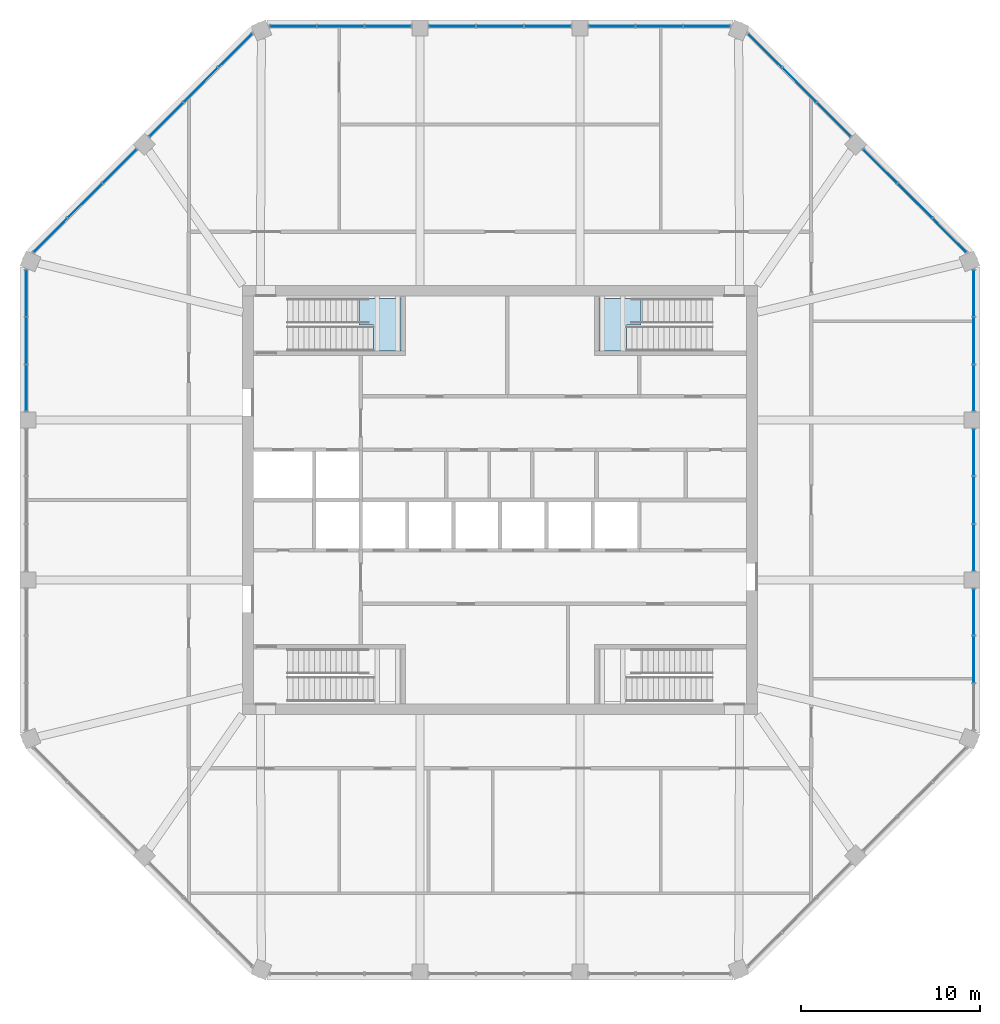
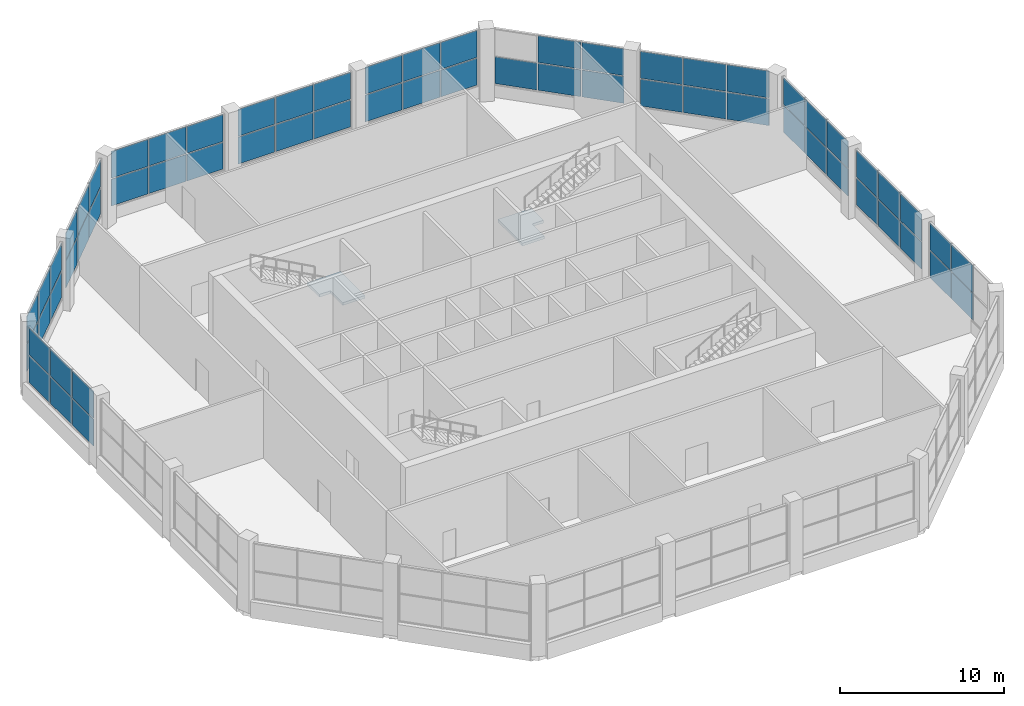
# One storey, part 10 of 15: 63 plates, 2 slabs, 13 elements without a shape of their own.
"""IFC4 building model written with IfcOpenShell, lengths in metres."""

from ifc_helpers import new_model, si_unit, direction, frame, origin, origin_2d, place, context, subcontext, project, spatial, polyline, rectangle, outline, extrude, material, layer, layer_set, type_object, element, aggregate, save


model = new_model("IFC4")

# Units and contexts
model_context = context("Model", 3, precision=1e-05, world=origin(), true_north=direction((0.0, 1.0)))
body_context = subcontext(model_context, "Body", "Model", "MODEL_VIEW")
ifc_project = project(units=[si_unit("LENGTHUNIT", "METRE"), si_unit("AREAUNIT", "SQUARE_METRE"), si_unit("VOLUMEUNIT", "CUBIC_METRE"), si_unit("PLANEANGLEUNIT", "RADIAN"), si_unit("MASSUNIT", "GRAM", prefix="KILO")], contexts=[model_context])

# Site, building, storey
site_placement = place(None, origin())
site = spatial("IfcSite", under=ifc_project, at=site_placement, CompositionType="ELEMENT")
building_placement = place(site_placement, origin())
building = spatial("IfcBuilding", under=site, at=building_placement, Name="Msitu Wima Residences", CompositionType="ELEMENT")
storey_placement = place(building_placement, frame((0.0, 0.0, 314.699951171875)))
storey = spatial("IfcBuildingStorey", under=building, at=storey_placement, Name="L73", CompositionType="ELEMENT", Elevation=314.699951171875)

# Curtain wall, plates
ifc_material_1 = material(Name="Anodised aluminium, bronze finish, solar control laminated double glazing", Category="aluminium")
curtain_wall_type = type_object("IfcCurtainWallType", Name="Curtain wall CW3 top lounge wall", PredefinedType="NOTDEFINED", material=ifc_material_1)
curtain_wall_1_placement = place(storey_placement, origin())
curtain_wall_1 = element("IfcCurtainWall", 1, at=curtain_wall_1_placement, inside=storey, type_object=curtain_wall_type, Name="Curtain wall CW3 L73 E0", PredefinedType="NOTDEFINED")
ifc_material_2 = material(Name="Solar control laminated double glazing", Category="glass")
ifc_layer_1 = layer(ifc_material_2, 0.0400390625)
ifc_layer_set_1 = layer_set([ifc_layer_1], Name="Solar control laminated double glazing")
plate_type = type_object("IfcPlateType", Name="Glass panel CW3 40", PredefinedType="CURTAIN_PANEL", material=ifc_layer_set_1)
plate_1_placement = place(storey_placement, frame((26.5, -8.918701171875, 0.97509765625), z_axis=(0.0, 0.0, 1.0), x_axis=(0.0, 1.0, 0.0)))
plate_1 = element("IfcPlate", 2, at=plate_1_placement, type_object=plate_type, Name="CW3 panel 2.1", PredefinedType="CURTAIN_PANEL", context=body_context, shape_type="SweptSolid", body=[
    extrude(rectangle(XDim=2.591796875, YDim=0.0400390625, at=origin_2d()), origin(), (0.0, 0.0, 1.0), 1.987548828125),
])
plate_2_placement = place(storey_placement, frame((26.5, -8.918701171875, 3.03759765625), z_axis=(0.0, 0.0, 1.0), x_axis=(0.0, 1.0, 0.0)))
plate_2 = element("IfcPlate", 3, at=plate_2_placement, type_object=plate_type, Name="CW3 panel 2.2", PredefinedType="CURTAIN_PANEL", context=body_context, shape_type="SweptSolid", body=[
    extrude(rectangle(XDim=2.591796875, YDim=0.0400390625, at=origin_2d()), origin(), (0.0, 0.0, 1.0), 1.987548828125),
])
plate_3_placement = place(storey_placement, frame((26.5, -6.270751953125, 0.97509765625), z_axis=(0.0, 0.0, 1.0), x_axis=(0.0, 1.0, 0.0)))
plate_3 = element("IfcPlate", 4, at=plate_3_placement, type_object=plate_type, Name="CW3 panel 3.1", PredefinedType="CURTAIN_PANEL", context=body_context, shape_type="SweptSolid", body=[
    extrude(rectangle(XDim=2.55419921875, YDim=0.0400390625, at=origin_2d()), origin(), (0.0, 0.0, 1.0), 1.987548828125),
])
plate_4_placement = place(storey_placement, frame((26.5, -6.270751953125, 3.03759765625), z_axis=(0.0, 0.0, 1.0), x_axis=(0.0, 1.0, 0.0)))
plate_4 = element("IfcPlate", 5, at=plate_4_placement, type_object=plate_type, Name="CW3 panel 3.2", PredefinedType="CURTAIN_PANEL", context=body_context, shape_type="SweptSolid", body=[
    extrude(rectangle(XDim=2.55419921875, YDim=0.0400390625, at=origin_2d()), origin(), (0.0, 0.0, 1.0), 1.987548828125),
])
aggregate(curtain_wall_1, [plate_1, plate_2, plate_3, plate_4])

curtain_wall_2_placement = place(storey_placement, origin())
curtain_wall_2 = element("IfcCurtainWall", 6, at=curtain_wall_2_placement, inside=storey, type_object=curtain_wall_type, Name="Curtain wall CW3 L73 E1", PredefinedType="NOTDEFINED")
plate_5_placement = place(storey_placement, frame((26.5, -2.660400390625, 0.97509765625), z_axis=(0.0, 0.0, 1.0), x_axis=(0.0, 1.0, 0.0)))
plate_5 = element("IfcPlate", 7, at=plate_5_placement, type_object=plate_type, Name="CW3 panel 1.1", PredefinedType="CURTAIN_PANEL", context=body_context, shape_type="SweptSolid", body=[
    extrude(rectangle(XDim=2.566650390625, YDim=0.0400390625, at=origin_2d()), origin(), (0.0, 0.0, 1.0), 1.987548828125),
])
plate_6_placement = place(storey_placement, frame((26.5, -2.660400390625, 3.03759765625), z_axis=(0.0, 0.0, 1.0), x_axis=(0.0, 1.0, 0.0)))
plate_6 = element("IfcPlate", 8, at=plate_6_placement, type_object=plate_type, Name="CW3 panel 1.2", PredefinedType="CURTAIN_PANEL", context=body_context, shape_type="SweptSolid", body=[
    extrude(rectangle(XDim=2.566650390625, YDim=0.0400390625, at=origin_2d()), origin(), (0.0, 0.0, 1.0), 1.987548828125),
])
plate_7_placement = place(storey_placement, frame((26.5, 0.0, 0.97509765625), z_axis=(0.0, 0.0, 1.0), x_axis=(0.0, 1.0, 0.0)))
plate_7 = element("IfcPlate", 9, at=plate_7_placement, type_object=plate_type, Name="CW3 panel 2.1", PredefinedType="CURTAIN_PANEL", context=body_context, shape_type="SweptSolid", body=[
    extrude(rectangle(XDim=2.60400390625, YDim=0.0400390625, at=origin_2d()), origin(), (0.0, 0.0, 1.0), 1.987548828125),
])
plate_8_placement = place(storey_placement, frame((26.5, 0.0, 3.03759765625), z_axis=(0.0, 0.0, 1.0), x_axis=(0.0, 1.0, 0.0)))
plate_8 = element("IfcPlate", 10, at=plate_8_placement, type_object=plate_type, Name="CW3 panel 2.2", PredefinedType="CURTAIN_PANEL", context=body_context, shape_type="SweptSolid", body=[
    extrude(rectangle(XDim=2.60400390625, YDim=0.0400390625, at=origin_2d()), origin(), (0.0, 0.0, 1.0), 1.987548828125),
])
plate_9_placement = place(storey_placement, frame((26.5, 2.660400390625, 0.97509765625), z_axis=(0.0, 0.0, 1.0), x_axis=(0.0, 1.0, 0.0)))
plate_9 = element("IfcPlate", 11, at=plate_9_placement, type_object=plate_type, Name="CW3 panel 3.1", PredefinedType="CURTAIN_PANEL", context=body_context, shape_type="SweptSolid", body=[
    extrude(rectangle(XDim=2.566650390625, YDim=0.0400390625, at=origin_2d()), origin(), (0.0, 0.0, 1.0), 1.987548828125),
])
plate_10_placement = place(storey_placement, frame((26.5, 2.660400390625, 3.03759765625), z_axis=(0.0, 0.0, 1.0), x_axis=(0.0, 1.0, 0.0)))
plate_10 = element("IfcPlate", 12, at=plate_10_placement, type_object=plate_type, Name="CW3 panel 3.2", PredefinedType="CURTAIN_PANEL", context=body_context, shape_type="SweptSolid", body=[
    extrude(rectangle(XDim=2.566650390625, YDim=0.0400390625, at=origin_2d()), origin(), (0.0, 0.0, 1.0), 1.987548828125),
])
aggregate(curtain_wall_2, [plate_5, plate_6, plate_7, plate_8, plate_9, plate_10])

curtain_wall_3_placement = place(storey_placement, origin())
curtain_wall_3 = element("IfcCurtainWall", 13, at=curtain_wall_3_placement, inside=storey, type_object=curtain_wall_type, Name="Curtain wall CW3 L73 E2", PredefinedType="NOTDEFINED")
plate_11_placement = place(storey_placement, frame((26.5, 6.270751953125, 0.97509765625), z_axis=(0.0, 0.0, 1.0), x_axis=(0.0, 1.0, 0.0)))
plate_11 = element("IfcPlate", 14, at=plate_11_placement, type_object=plate_type, Name="CW3 panel 1.1", PredefinedType="CURTAIN_PANEL", context=body_context, shape_type="SweptSolid", body=[
    extrude(rectangle(XDim=2.55419921875, YDim=0.0400390625, at=origin_2d()), origin(), (0.0, 0.0, 1.0), 1.987548828125),
])
plate_12_placement = place(storey_placement, frame((26.5, 6.270751953125, 3.03759765625), z_axis=(0.0, 0.0, 1.0), x_axis=(0.0, 1.0, 0.0)))
plate_12 = element("IfcPlate", 15, at=plate_12_placement, type_object=plate_type, Name="CW3 panel 1.2", PredefinedType="CURTAIN_PANEL", context=body_context, shape_type="SweptSolid", body=[
    extrude(rectangle(XDim=2.55419921875, YDim=0.0400390625, at=origin_2d()), origin(), (0.0, 0.0, 1.0), 1.987548828125),
])
plate_13_placement = place(storey_placement, frame((26.5, 8.918701171875, 0.97509765625), z_axis=(0.0, 0.0, 1.0), x_axis=(0.0, 1.0, 0.0)))
plate_13 = element("IfcPlate", 16, at=plate_13_placement, type_object=plate_type, Name="CW3 panel 2.1", PredefinedType="CURTAIN_PANEL", context=body_context, shape_type="SweptSolid", body=[
    extrude(rectangle(XDim=2.591796875, YDim=0.0400390625, at=origin_2d()), origin(), (0.0, 0.0, 1.0), 1.987548828125),
])
plate_14_placement = place(storey_placement, frame((26.5, 8.918701171875, 3.03759765625), z_axis=(0.0, 0.0, 1.0), x_axis=(0.0, 1.0, 0.0)))
plate_14 = element("IfcPlate", 17, at=plate_14_placement, type_object=plate_type, Name="CW3 panel 2.2", PredefinedType="CURTAIN_PANEL", context=body_context, shape_type="SweptSolid", body=[
    extrude(rectangle(XDim=2.591796875, YDim=0.0400390625, at=origin_2d()), origin(), (0.0, 0.0, 1.0), 1.987548828125),
])
plate_15_placement = place(storey_placement, frame((26.5, 11.566650390625, 0.97509765625), z_axis=(0.0, 0.0, 1.0), x_axis=(0.0, 1.0, 0.0)))
plate_15 = element("IfcPlate", 18, at=plate_15_placement, type_object=plate_type, Name="CW3 panel 3.1", PredefinedType="CURTAIN_PANEL", context=body_context, shape_type="SweptSolid", body=[
    extrude(rectangle(XDim=2.55419921875, YDim=0.0400390625, at=origin_2d()), origin(), (0.0, 0.0, 1.0), 1.987548828125),
])
plate_16_placement = place(storey_placement, frame((26.5, 11.566650390625, 3.03759765625), z_axis=(0.0, 0.0, 1.0), x_axis=(0.0, 1.0, 0.0)))
plate_16 = element("IfcPlate", 19, at=plate_16_placement, type_object=plate_type, Name="CW3 panel 3.2", PredefinedType="CURTAIN_PANEL", context=body_context, shape_type="SweptSolid", body=[
    extrude(rectangle(XDim=2.55419921875, YDim=0.0400390625, at=origin_2d()), origin(), (0.0, 0.0, 1.0), 1.987548828125),
])
aggregate(curtain_wall_3, [plate_11, plate_12, plate_13, plate_14, plate_15, plate_16])

curtain_wall_4_placement = place(storey_placement, origin())
curtain_wall_4 = element("IfcCurtainWall", 20, at=curtain_wall_4_placement, inside=storey, type_object=curtain_wall_type, Name="Curtain wall CW3 L73 NE0", PredefinedType="NOTDEFINED")
plate_17_placement = place(storey_placement, frame((25.140625, 14.806640625, 0.97509765625), z_axis=(0.0, 0.0, 1.0), x_axis=(-0.707106781187, 0.707106781187, 0.0)))
plate_17 = element("IfcPlate", 21, at=plate_17_placement, type_object=plate_type, Name="CW3 panel 1.1", PredefinedType="CURTAIN_PANEL", context=body_context, shape_type="SweptSolid", body=[
    extrude(rectangle(XDim=2.637939453125, YDim=0.0400390625, at=origin_2d()), origin(), (0.0, 0.0, 1.0), 1.987548828125),
])
plate_18_placement = place(storey_placement, frame((25.140625, 14.806640625, 3.03759765625), z_axis=(0.0, 0.0, 1.0), x_axis=(-0.707106781187, 0.707106781187, 0.0)))
plate_18 = element("IfcPlate", 22, at=plate_18_placement, type_object=plate_type, Name="CW3 panel 1.2", PredefinedType="CURTAIN_PANEL", context=body_context, shape_type="SweptSolid", body=[
    extrude(rectangle(XDim=2.637939453125, YDim=0.0400390625, at=origin_2d()), origin(), (0.0, 0.0, 1.0), 1.987548828125),
])
plate_19_placement = place(storey_placement, frame((23.208984375, 16.73828125, 0.97509765625), z_axis=(0.0, 0.0, 1.0), x_axis=(-0.707106781187, 0.707106781187, 0.0)))
plate_19 = element("IfcPlate", 23, at=plate_19_placement, type_object=plate_type, Name="CW3 panel 2.1", PredefinedType="CURTAIN_PANEL", context=body_context, shape_type="SweptSolid", body=[
    extrude(rectangle(XDim=2.67529296875, YDim=0.0400390625, at=origin_2d()), origin(), (0.0, 0.0, 1.0), 1.987548828125),
])
plate_20_placement = place(storey_placement, frame((23.208984375, 16.73828125, 3.03759765625), z_axis=(0.0, 0.0, 1.0), x_axis=(-0.707106781187, 0.707106781187, 0.0)))
plate_20 = element("IfcPlate", 24, at=plate_20_placement, type_object=plate_type, Name="CW3 panel 2.2", PredefinedType="CURTAIN_PANEL", context=body_context, shape_type="SweptSolid", body=[
    extrude(rectangle(XDim=2.67529296875, YDim=0.0400390625, at=origin_2d()), origin(), (0.0, 0.0, 1.0), 1.987548828125),
])
plate_21_placement = place(storey_placement, frame((21.277587890625, 18.669677734375, 0.97509765625), z_axis=(0.0, 0.0, 1.0), x_axis=(-0.707106781187, 0.707106781187, 0.0)))
plate_21 = element("IfcPlate", 25, at=plate_21_placement, type_object=plate_type, Name="CW3 panel 3.1", PredefinedType="CURTAIN_PANEL", context=body_context, shape_type="SweptSolid", body=[
    extrude(rectangle(XDim=2.637939453125, YDim=0.0400390625, at=origin_2d()), origin(), (0.0, 0.0, 1.0), 1.987548828125),
])
plate_22_placement = place(storey_placement, frame((21.277587890625, 18.669677734375, 3.03759765625), z_axis=(0.0, 0.0, 1.0), x_axis=(-0.707106781187, 0.707106781187, 0.0)))
plate_22 = element("IfcPlate", 26, at=plate_22_placement, type_object=plate_type, Name="CW3 panel 3.2", PredefinedType="CURTAIN_PANEL", context=body_context, shape_type="SweptSolid", body=[
    extrude(rectangle(XDim=2.637939453125, YDim=0.0400390625, at=origin_2d()), origin(), (0.0, 0.0, 1.0), 1.987548828125),
])
aggregate(curtain_wall_4, [plate_17, plate_18, plate_19, plate_20, plate_21, plate_22])

curtain_wall_5_placement = place(storey_placement, origin())
curtain_wall_5 = element("IfcCurtainWall", 27, at=curtain_wall_5_placement, inside=storey, type_object=curtain_wall_type, Name="Curtain wall CW3 L73 NE1", PredefinedType="NOTDEFINED")
plate_23_placement = place(storey_placement, frame((18.669677734375, 21.277587890625, 0.97509765625), z_axis=(0.0, 0.0, 1.0), x_axis=(-0.707106841783, 0.707106720591, 0.0)))
plate_23 = element("IfcPlate", 28, at=plate_23_placement, type_object=plate_type, Name="CW3 panel 1.1", PredefinedType="CURTAIN_PANEL", context=body_context, shape_type="SweptSolid", body=[
    extrude(rectangle(XDim=2.637939453125, YDim=0.0400390625, at=origin_2d()), origin(), (0.0, 0.0, 1.0), 1.987548828125),
])
plate_24_placement = place(storey_placement, frame((18.669677734375, 21.277587890625, 3.03759765625), z_axis=(0.0, 0.0, 1.0), x_axis=(-0.707106841783, 0.707106720591, 0.0)))
plate_24 = element("IfcPlate", 29, at=plate_24_placement, type_object=plate_type, Name="CW3 panel 1.2", PredefinedType="CURTAIN_PANEL", context=body_context, shape_type="SweptSolid", body=[
    extrude(rectangle(XDim=2.637939453125, YDim=0.0400390625, at=origin_2d()), origin(), (0.0, 0.0, 1.0), 1.987548828125),
])
plate_25_placement = place(storey_placement, frame((16.73828125, 23.208984375, 0.97509765625), z_axis=(0.0, 0.0, 1.0), x_axis=(-0.707106841783, 0.707106720591, 0.0)))
plate_25 = element("IfcPlate", 30, at=plate_25_placement, type_object=plate_type, Name="CW3 panel 2.1", PredefinedType="CURTAIN_PANEL", context=body_context, shape_type="SweptSolid", body=[
    extrude(rectangle(XDim=2.67529296875, YDim=0.0400390625, at=origin_2d()), origin(), (0.0, 0.0, 1.0), 1.987548828125),
])
plate_26_placement = place(storey_placement, frame((16.73828125, 23.208984375, 3.03759765625), z_axis=(0.0, 0.0, 1.0), x_axis=(-0.707106841783, 0.707106720591, 0.0)))
plate_26 = element("IfcPlate", 31, at=plate_26_placement, type_object=plate_type, Name="CW3 panel 2.2", PredefinedType="CURTAIN_PANEL", context=body_context, shape_type="SweptSolid", body=[
    extrude(rectangle(XDim=2.67529296875, YDim=0.0400390625, at=origin_2d()), origin(), (0.0, 0.0, 1.0), 1.987548828125),
])
plate_27_placement = place(storey_placement, frame((14.806640625, 25.140625, 0.97509765625), z_axis=(0.0, 0.0, 1.0), x_axis=(-0.707106841783, 0.707106720591, 0.0)))
plate_27 = element("IfcPlate", 32, at=plate_27_placement, type_object=plate_type, Name="CW3 panel 3.1", PredefinedType="CURTAIN_PANEL", context=body_context, shape_type="SweptSolid", body=[
    extrude(rectangle(XDim=2.637939453125, YDim=0.0400390625, at=origin_2d()), origin(), (0.0, 0.0, 1.0), 1.987548828125),
])
aggregate(curtain_wall_5, [plate_23, plate_24, plate_25, plate_26, plate_27])

curtain_wall_6_placement = place(storey_placement, origin())
curtain_wall_6 = element("IfcCurtainWall", 33, at=curtain_wall_6_placement, inside=storey, type_object=curtain_wall_type, Name="Curtain wall CW3 L73 N0", PredefinedType="NOTDEFINED")
plate_28_placement = place(storey_placement, frame((11.566650390625, 26.5, 0.97509765625), z_axis=(0.0, 0.0, 1.0), x_axis=(-1.0, 0.0, 0.0)))
plate_28 = element("IfcPlate", 34, at=plate_28_placement, type_object=plate_type, Name="CW3 panel 1.1", PredefinedType="CURTAIN_PANEL", context=body_context, shape_type="SweptSolid", body=[
    extrude(rectangle(XDim=2.55419921875, YDim=0.0400390625, at=origin_2d()), origin(), (0.0, 0.0, 1.0), 1.987548828125),
])
plate_29_placement = place(storey_placement, frame((11.566650390625, 26.5, 3.03759765625), z_axis=(0.0, 0.0, 1.0), x_axis=(-1.0, 0.0, 0.0)))
plate_29 = element("IfcPlate", 35, at=plate_29_placement, type_object=plate_type, Name="CW3 panel 1.2", PredefinedType="CURTAIN_PANEL", context=body_context, shape_type="SweptSolid", body=[
    extrude(rectangle(XDim=2.55419921875, YDim=0.0400390625, at=origin_2d()), origin(), (0.0, 0.0, 1.0), 1.987548828125),
])
plate_30_placement = place(storey_placement, frame((8.918701171875, 26.5, 0.97509765625), z_axis=(0.0, 0.0, 1.0), x_axis=(-1.0, 0.0, 0.0)))
plate_30 = element("IfcPlate", 36, at=plate_30_placement, type_object=plate_type, Name="CW3 panel 2.1", PredefinedType="CURTAIN_PANEL", context=body_context, shape_type="SweptSolid", body=[
    extrude(rectangle(XDim=2.591796875, YDim=0.0400390625, at=origin_2d()), origin(), (0.0, 0.0, 1.0), 1.987548828125),
])
plate_31_placement = place(storey_placement, frame((8.918701171875, 26.5, 3.03759765625), z_axis=(0.0, 0.0, 1.0), x_axis=(-1.0, 0.0, 0.0)))
plate_31 = element("IfcPlate", 37, at=plate_31_placement, type_object=plate_type, Name="CW3 panel 2.2", PredefinedType="CURTAIN_PANEL", context=body_context, shape_type="SweptSolid", body=[
    extrude(rectangle(XDim=2.591796875, YDim=0.0400390625, at=origin_2d()), origin(), (0.0, 0.0, 1.0), 1.987548828125),
])
plate_32_placement = place(storey_placement, frame((6.270751953125, 26.5, 0.97509765625), z_axis=(0.0, 0.0, 1.0), x_axis=(-1.0, 0.0, 0.0)))
plate_32 = element("IfcPlate", 38, at=plate_32_placement, type_object=plate_type, Name="CW3 panel 3.1", PredefinedType="CURTAIN_PANEL", context=body_context, shape_type="SweptSolid", body=[
    extrude(rectangle(XDim=2.55419921875, YDim=0.0400390625, at=origin_2d()), origin(), (0.0, 0.0, 1.0), 1.987548828125),
])
plate_33_placement = place(storey_placement, frame((6.270751953125, 26.5, 3.03759765625), z_axis=(0.0, 0.0, 1.0), x_axis=(-1.0, 0.0, 0.0)))
plate_33 = element("IfcPlate", 39, at=plate_33_placement, type_object=plate_type, Name="CW3 panel 3.2", PredefinedType="CURTAIN_PANEL", context=body_context, shape_type="SweptSolid", body=[
    extrude(rectangle(XDim=2.55419921875, YDim=0.0400390625, at=origin_2d()), origin(), (0.0, 0.0, 1.0), 1.987548828125),
])
aggregate(curtain_wall_6, [plate_28, plate_29, plate_30, plate_31, plate_32, plate_33])

curtain_wall_7_placement = place(storey_placement, origin())
curtain_wall_7 = element("IfcCurtainWall", 40, at=curtain_wall_7_placement, inside=storey, type_object=curtain_wall_type, Name="Curtain wall CW3 L73 N1", PredefinedType="NOTDEFINED")
plate_34_placement = place(storey_placement, frame((2.660400390625, 26.5, 0.97509765625), z_axis=(0.0, 0.0, 1.0), x_axis=(-1.0, 0.0, 0.0)))
plate_34 = element("IfcPlate", 41, at=plate_34_placement, type_object=plate_type, Name="CW3 panel 1.1", PredefinedType="CURTAIN_PANEL", context=body_context, shape_type="SweptSolid", body=[
    extrude(rectangle(XDim=2.566650390625, YDim=0.0400390625, at=origin_2d()), origin(), (0.0, 0.0, 1.0), 1.987548828125),
])
plate_35_placement = place(storey_placement, frame((2.660400390625, 26.5, 3.03759765625), z_axis=(0.0, 0.0, 1.0), x_axis=(-1.0, 0.0, 0.0)))
plate_35 = element("IfcPlate", 42, at=plate_35_placement, type_object=plate_type, Name="CW3 panel 1.2", PredefinedType="CURTAIN_PANEL", context=body_context, shape_type="SweptSolid", body=[
    extrude(rectangle(XDim=2.566650390625, YDim=0.0400390625, at=origin_2d()), origin(), (0.0, 0.0, 1.0), 1.987548828125),
])
plate_36_placement = place(storey_placement, frame((0.0, 26.5, 0.97509765625), z_axis=(0.0, 0.0, 1.0), x_axis=(-1.0, 0.0, 0.0)))
plate_36 = element("IfcPlate", 43, at=plate_36_placement, type_object=plate_type, Name="CW3 panel 2.1", PredefinedType="CURTAIN_PANEL", context=body_context, shape_type="SweptSolid", body=[
    extrude(rectangle(XDim=2.60400390625, YDim=0.0400390625, at=origin_2d()), origin(), (0.0, 0.0, 1.0), 1.987548828125),
])
plate_37_placement = place(storey_placement, frame((0.0, 26.5, 3.03759765625), z_axis=(0.0, 0.0, 1.0), x_axis=(-1.0, 0.0, 0.0)))
plate_37 = element("IfcPlate", 44, at=plate_37_placement, type_object=plate_type, Name="CW3 panel 2.2", PredefinedType="CURTAIN_PANEL", context=body_context, shape_type="SweptSolid", body=[
    extrude(rectangle(XDim=2.60400390625, YDim=0.0400390625, at=origin_2d()), origin(), (0.0, 0.0, 1.0), 1.987548828125),
])
plate_38_placement = place(storey_placement, frame((-2.660400390625, 26.5, 0.97509765625), z_axis=(0.0, 0.0, 1.0), x_axis=(-1.0, 0.0, 0.0)))
plate_38 = element("IfcPlate", 45, at=plate_38_placement, type_object=plate_type, Name="CW3 panel 3.1", PredefinedType="CURTAIN_PANEL", context=body_context, shape_type="SweptSolid", body=[
    extrude(rectangle(XDim=2.566650390625, YDim=0.0400390625, at=origin_2d()), origin(), (0.0, 0.0, 1.0), 1.987548828125),
])
plate_39_placement = place(storey_placement, frame((-2.660400390625, 26.5, 3.03759765625), z_axis=(0.0, 0.0, 1.0), x_axis=(-1.0, 0.0, 0.0)))
plate_39 = element("IfcPlate", 46, at=plate_39_placement, type_object=plate_type, Name="CW3 panel 3.2", PredefinedType="CURTAIN_PANEL", context=body_context, shape_type="SweptSolid", body=[
    extrude(rectangle(XDim=2.566650390625, YDim=0.0400390625, at=origin_2d()), origin(), (0.0, 0.0, 1.0), 1.987548828125),
])
aggregate(curtain_wall_7, [plate_34, plate_35, plate_36, plate_37, plate_38, plate_39])

curtain_wall_8_placement = place(storey_placement, origin())
curtain_wall_8 = element("IfcCurtainWall", 47, at=curtain_wall_8_placement, inside=storey, type_object=curtain_wall_type, Name="Curtain wall CW3 L73 N2", PredefinedType="NOTDEFINED")
plate_40_placement = place(storey_placement, frame((-6.270751953125, 26.5, 0.97509765625), z_axis=(0.0, 0.0, 1.0), x_axis=(-1.0, 0.0, 0.0)))
plate_40 = element("IfcPlate", 48, at=plate_40_placement, type_object=plate_type, Name="CW3 panel 1.1", PredefinedType="CURTAIN_PANEL", context=body_context, shape_type="SweptSolid", body=[
    extrude(rectangle(XDim=2.55419921875, YDim=0.0400390625, at=origin_2d()), origin(), (0.0, 0.0, 1.0), 1.987548828125),
])
plate_41_placement = place(storey_placement, frame((-6.270751953125, 26.5, 3.03759765625), z_axis=(0.0, 0.0, 1.0), x_axis=(-1.0, 0.0, 0.0)))
plate_41 = element("IfcPlate", 49, at=plate_41_placement, type_object=plate_type, Name="CW3 panel 1.2", PredefinedType="CURTAIN_PANEL", context=body_context, shape_type="SweptSolid", body=[
    extrude(rectangle(XDim=2.55419921875, YDim=0.0400390625, at=origin_2d()), origin(), (0.0, 0.0, 1.0), 1.987548828125),
])
plate_42_placement = place(storey_placement, frame((-8.918701171875, 26.5, 0.97509765625), z_axis=(0.0, 0.0, 1.0), x_axis=(-1.0, 0.0, 0.0)))
plate_42 = element("IfcPlate", 50, at=plate_42_placement, type_object=plate_type, Name="CW3 panel 2.1", PredefinedType="CURTAIN_PANEL", context=body_context, shape_type="SweptSolid", body=[
    extrude(rectangle(XDim=2.591796875, YDim=0.0400390625, at=origin_2d()), origin(), (0.0, 0.0, 1.0), 1.987548828125),
])
plate_43_placement = place(storey_placement, frame((-8.918701171875, 26.5, 3.03759765625), z_axis=(0.0, 0.0, 1.0), x_axis=(-1.0, 0.0, 0.0)))
plate_43 = element("IfcPlate", 51, at=plate_43_placement, type_object=plate_type, Name="CW3 panel 2.2", PredefinedType="CURTAIN_PANEL", context=body_context, shape_type="SweptSolid", body=[
    extrude(rectangle(XDim=2.591796875, YDim=0.0400390625, at=origin_2d()), origin(), (0.0, 0.0, 1.0), 1.987548828125),
])
plate_44_placement = place(storey_placement, frame((-11.566650390625, 26.5, 0.97509765625), z_axis=(0.0, 0.0, 1.0), x_axis=(-1.0, 0.0, 0.0)))
plate_44 = element("IfcPlate", 52, at=plate_44_placement, type_object=plate_type, Name="CW3 panel 3.1", PredefinedType="CURTAIN_PANEL", context=body_context, shape_type="SweptSolid", body=[
    extrude(rectangle(XDim=2.55419921875, YDim=0.0400390625, at=origin_2d()), origin(), (0.0, 0.0, 1.0), 1.987548828125),
])
plate_45_placement = place(storey_placement, frame((-11.566650390625, 26.5, 3.03759765625), z_axis=(0.0, 0.0, 1.0), x_axis=(-1.0, 0.0, 0.0)))
plate_45 = element("IfcPlate", 53, at=plate_45_placement, type_object=plate_type, Name="CW3 panel 3.2", PredefinedType="CURTAIN_PANEL", context=body_context, shape_type="SweptSolid", body=[
    extrude(rectangle(XDim=2.55419921875, YDim=0.0400390625, at=origin_2d()), origin(), (0.0, 0.0, 1.0), 1.987548828125),
])
aggregate(curtain_wall_8, [plate_40, plate_41, plate_42, plate_43, plate_44, plate_45])

curtain_wall_9_placement = place(storey_placement, origin())
curtain_wall_9 = element("IfcCurtainWall", 54, at=curtain_wall_9_placement, inside=storey, type_object=curtain_wall_type, Name="Curtain wall CW3 L73 NW0", PredefinedType="NOTDEFINED")
plate_46_placement = place(storey_placement, frame((-14.806640625, 25.140625, 0.97509765625), z_axis=(0.0, 0.0, 1.0), x_axis=(-0.707106781187, -0.707106781187, 0.0)))
plate_46 = element("IfcPlate", 55, at=plate_46_placement, type_object=plate_type, Name="CW3 panel 1.1", PredefinedType="CURTAIN_PANEL", context=body_context, shape_type="SweptSolid", body=[
    extrude(rectangle(XDim=2.637939453125, YDim=0.0400390625, at=origin_2d()), origin(), (0.0, 0.0, 1.0), 1.987548828125),
])
plate_47_placement = place(storey_placement, frame((-14.806640625, 25.140625, 3.03759765625), z_axis=(0.0, 0.0, 1.0), x_axis=(-0.707106781187, -0.707106781187, 0.0)))
plate_47 = element("IfcPlate", 56, at=plate_47_placement, type_object=plate_type, Name="CW3 panel 1.2", PredefinedType="CURTAIN_PANEL", context=body_context, shape_type="SweptSolid", body=[
    extrude(rectangle(XDim=2.637939453125, YDim=0.0400390625, at=origin_2d()), origin(), (0.0, 0.0, 1.0), 1.987548828125),
])
plate_48_placement = place(storey_placement, frame((-16.73828125, 23.208984375, 0.97509765625), z_axis=(0.0, 0.0, 1.0), x_axis=(-0.707106781187, -0.707106781187, 0.0)))
plate_48 = element("IfcPlate", 57, at=plate_48_placement, type_object=plate_type, Name="CW3 panel 2.1", PredefinedType="CURTAIN_PANEL", context=body_context, shape_type="SweptSolid", body=[
    extrude(rectangle(XDim=2.67529296875, YDim=0.0400390625, at=origin_2d()), origin(), (0.0, 0.0, 1.0), 1.987548828125),
])
plate_49_placement = place(storey_placement, frame((-16.73828125, 23.208984375, 3.03759765625), z_axis=(0.0, 0.0, 1.0), x_axis=(-0.707106781187, -0.707106781187, 0.0)))
plate_49 = element("IfcPlate", 58, at=plate_49_placement, type_object=plate_type, Name="CW3 panel 2.2", PredefinedType="CURTAIN_PANEL", context=body_context, shape_type="SweptSolid", body=[
    extrude(rectangle(XDim=2.67529296875, YDim=0.0400390625, at=origin_2d()), origin(), (0.0, 0.0, 1.0), 1.987548828125),
])
plate_50_placement = place(storey_placement, frame((-18.669677734375, 21.277587890625, 0.97509765625), z_axis=(0.0, 0.0, 1.0), x_axis=(-0.707106781187, -0.707106781187, 0.0)))
plate_50 = element("IfcPlate", 59, at=plate_50_placement, type_object=plate_type, Name="CW3 panel 3.1", PredefinedType="CURTAIN_PANEL", context=body_context, shape_type="SweptSolid", body=[
    extrude(rectangle(XDim=2.637939453125, YDim=0.0400390625, at=origin_2d()), origin(), (0.0, 0.0, 1.0), 1.987548828125),
])
plate_51_placement = place(storey_placement, frame((-18.669677734375, 21.277587890625, 3.03759765625), z_axis=(0.0, 0.0, 1.0), x_axis=(-0.707106781187, -0.707106781187, 0.0)))
plate_51 = element("IfcPlate", 60, at=plate_51_placement, type_object=plate_type, Name="CW3 panel 3.2", PredefinedType="CURTAIN_PANEL", context=body_context, shape_type="SweptSolid", body=[
    extrude(rectangle(XDim=2.637939453125, YDim=0.0400390625, at=origin_2d()), origin(), (0.0, 0.0, 1.0), 1.987548828125),
])
aggregate(curtain_wall_9, [plate_46, plate_47, plate_48, plate_49, plate_50, plate_51])

curtain_wall_10_placement = place(storey_placement, origin())
curtain_wall_10 = element("IfcCurtainWall", 61, at=curtain_wall_10_placement, inside=storey, type_object=curtain_wall_type, Name="Curtain wall CW3 L73 NW1", PredefinedType="NOTDEFINED")
plate_52_placement = place(storey_placement, frame((-21.277587890625, 18.669677734375, 0.97509765625), z_axis=(0.0, 0.0, 1.0), x_axis=(-0.707106720591, -0.707106841783, 0.0)))
plate_52 = element("IfcPlate", 62, at=plate_52_placement, type_object=plate_type, Name="CW3 panel 1.1", PredefinedType="CURTAIN_PANEL", context=body_context, shape_type="SweptSolid", body=[
    extrude(rectangle(XDim=2.637939453125, YDim=0.0400390625, at=origin_2d()), origin(), (0.0, 0.0, 1.0), 1.987548828125),
])
plate_53_placement = place(storey_placement, frame((-21.277587890625, 18.669677734375, 3.03759765625), z_axis=(0.0, 0.0, 1.0), x_axis=(-0.707106720591, -0.707106841783, 0.0)))
plate_53 = element("IfcPlate", 63, at=plate_53_placement, type_object=plate_type, Name="CW3 panel 1.2", PredefinedType="CURTAIN_PANEL", context=body_context, shape_type="SweptSolid", body=[
    extrude(rectangle(XDim=2.637939453125, YDim=0.0400390625, at=origin_2d()), origin(), (0.0, 0.0, 1.0), 1.987548828125),
])
plate_54_placement = place(storey_placement, frame((-23.208984375, 16.73828125, 0.97509765625), z_axis=(0.0, 0.0, 1.0), x_axis=(-0.707106720591, -0.707106841783, 0.0)))
plate_54 = element("IfcPlate", 64, at=plate_54_placement, type_object=plate_type, Name="CW3 panel 2.1", PredefinedType="CURTAIN_PANEL", context=body_context, shape_type="SweptSolid", body=[
    extrude(rectangle(XDim=2.67529296875, YDim=0.0400390625, at=origin_2d()), origin(), (0.0, 0.0, 1.0), 1.987548828125),
])
plate_55_placement = place(storey_placement, frame((-23.208984375, 16.73828125, 3.03759765625), z_axis=(0.0, 0.0, 1.0), x_axis=(-0.707106720591, -0.707106841783, 0.0)))
plate_55 = element("IfcPlate", 65, at=plate_55_placement, type_object=plate_type, Name="CW3 panel 2.2", PredefinedType="CURTAIN_PANEL", context=body_context, shape_type="SweptSolid", body=[
    extrude(rectangle(XDim=2.67529296875, YDim=0.0400390625, at=origin_2d()), origin(), (0.0, 0.0, 1.0), 1.987548828125),
])
plate_56_placement = place(storey_placement, frame((-25.140625, 14.806640625, 0.97509765625), z_axis=(0.0, 0.0, 1.0), x_axis=(-0.707106720591, -0.707106841783, 0.0)))
plate_56 = element("IfcPlate", 66, at=plate_56_placement, type_object=plate_type, Name="CW3 panel 3.1", PredefinedType="CURTAIN_PANEL", context=body_context, shape_type="SweptSolid", body=[
    extrude(rectangle(XDim=2.637939453125, YDim=0.0400390625, at=origin_2d()), origin(), (0.0, 0.0, 1.0), 1.987548828125),
])
plate_57_placement = place(storey_placement, frame((-25.140625, 14.806640625, 3.03759765625), z_axis=(0.0, 0.0, 1.0), x_axis=(-0.707106720591, -0.707106841783, 0.0)))
plate_57 = element("IfcPlate", 67, at=plate_57_placement, type_object=plate_type, Name="CW3 panel 3.2", PredefinedType="CURTAIN_PANEL", context=body_context, shape_type="SweptSolid", body=[
    extrude(rectangle(XDim=2.637939453125, YDim=0.0400390625, at=origin_2d()), origin(), (0.0, 0.0, 1.0), 1.987548828125),
])
aggregate(curtain_wall_10, [plate_52, plate_53, plate_54, plate_55, plate_56, plate_57])

curtain_wall_11_placement = place(storey_placement, origin())
curtain_wall_11 = element("IfcCurtainWall", 68, at=curtain_wall_11_placement, inside=storey, type_object=curtain_wall_type, Name="Curtain wall CW3 L73 W0", PredefinedType="NOTDEFINED")
plate_58_placement = place(storey_placement, frame((-26.5, 11.566650390625, 0.97509765625), z_axis=(0.0, 0.0, 1.0), x_axis=(0.0, -1.0, 0.0)))
plate_58 = element("IfcPlate", 69, at=plate_58_placement, type_object=plate_type, Name="CW3 panel 1.1", PredefinedType="CURTAIN_PANEL", context=body_context, shape_type="SweptSolid", body=[
    extrude(rectangle(XDim=2.55419921875, YDim=0.0400390625, at=origin_2d()), origin(), (0.0, 0.0, 1.0), 1.987548828125),
])
plate_59_placement = place(storey_placement, frame((-26.5, 11.566650390625, 3.03759765625), z_axis=(0.0, 0.0, 1.0), x_axis=(0.0, -1.0, 0.0)))
plate_59 = element("IfcPlate", 70, at=plate_59_placement, type_object=plate_type, Name="CW3 panel 1.2", PredefinedType="CURTAIN_PANEL", context=body_context, shape_type="SweptSolid", body=[
    extrude(rectangle(XDim=2.55419921875, YDim=0.0400390625, at=origin_2d()), origin(), (0.0, 0.0, 1.0), 1.987548828125),
])
plate_60_placement = place(storey_placement, frame((-26.5, 8.918701171875, 0.97509765625), z_axis=(0.0, 0.0, 1.0), x_axis=(0.0, -1.0, 0.0)))
plate_60 = element("IfcPlate", 71, at=plate_60_placement, type_object=plate_type, Name="CW3 panel 2.1", PredefinedType="CURTAIN_PANEL", context=body_context, shape_type="SweptSolid", body=[
    extrude(rectangle(XDim=2.591796875, YDim=0.0400390625, at=origin_2d()), origin(), (0.0, 0.0, 1.0), 1.987548828125),
])
plate_61_placement = place(storey_placement, frame((-26.5, 8.918701171875, 3.03759765625), z_axis=(0.0, 0.0, 1.0), x_axis=(0.0, -1.0, 0.0)))
plate_61 = element("IfcPlate", 72, at=plate_61_placement, type_object=plate_type, Name="CW3 panel 2.2", PredefinedType="CURTAIN_PANEL", context=body_context, shape_type="SweptSolid", body=[
    extrude(rectangle(XDim=2.591796875, YDim=0.0400390625, at=origin_2d()), origin(), (0.0, 0.0, 1.0), 1.987548828125),
])
plate_62_placement = place(storey_placement, frame((-26.5, 6.270751953125, 0.97509765625), z_axis=(0.0, 0.0, 1.0), x_axis=(0.0, -1.0, 0.0)))
plate_62 = element("IfcPlate", 73, at=plate_62_placement, type_object=plate_type, Name="CW3 panel 3.1", PredefinedType="CURTAIN_PANEL", context=body_context, shape_type="SweptSolid", body=[
    extrude(rectangle(XDim=2.55419921875, YDim=0.0400390625, at=origin_2d()), origin(), (0.0, 0.0, 1.0), 1.987548828125),
])
plate_63_placement = place(storey_placement, frame((-26.5, 6.270751953125, 3.03759765625), z_axis=(0.0, 0.0, 1.0), x_axis=(0.0, -1.0, 0.0)))
plate_63 = element("IfcPlate", 74, at=plate_63_placement, type_object=plate_type, Name="CW3 panel 3.2", PredefinedType="CURTAIN_PANEL", context=body_context, shape_type="SweptSolid", body=[
    extrude(rectangle(XDim=2.55419921875, YDim=0.0400390625, at=origin_2d()), origin(), (0.0, 0.0, 1.0), 1.987548828125),
])
aggregate(curtain_wall_11, [plate_58, plate_59, plate_60, plate_61, plate_62, plate_63])

# Stair, slab
ifc_material_3 = material(Name="Concrete C40/50", Category="concrete")
stair_type = type_object("IfcStairType", Name="Exit stair ES1636-140", PredefinedType="HALF_TURN_STAIR", material=ifc_material_3)
stair_1_placement = place(storey_placement, origin())
stair_1 = element("IfcStair", 75, at=stair_1_placement, inside=storey, type_object=stair_type, Name="Exit stair 1", PredefinedType="HALF_TURN_STAIR")
ifc_layer_2 = layer(ifc_material_3, 0.199951171875)
ifc_layer_set_2 = layer_set([ifc_layer_2], Name="Concrete C40/50")
slab_type = type_object("IfcSlabType", Name="Stair landing SL200", PredefinedType="LANDING", material=ifc_layer_set_2)
slab_1_placement = place(storey_placement, frame((0.0, 0.0, 2.581787109375)))
slab_1 = element("IfcSlab", 76, at=slab_1_placement, type_object=slab_type, Name="S1 landing 1", PredefinedType="LANDING", context=body_context, shape_type="SweptSolid", body=[
    extrude(outline(polyline([(-5.52490234375, 8.324951171875), (-7.075439453125, 8.324951171875), (-7.075439453125, 9.800048828125), (-7.875, 9.800048828125), (-7.875, 11.27490234375), (-5.52490234375, 11.27490234375), (-5.52490234375, 8.324951171875)])), origin(), (0.0, 0.0, 1.0), 0.2001953125),
])
aggregate(stair_1, [slab_1])

stair_2_placement = place(storey_placement, origin())
stair_2 = element("IfcStair", 77, at=stair_2_placement, inside=storey, type_object=stair_type, Name="Exit stair 3", PredefinedType="HALF_TURN_STAIR")
slab_2_placement = place(storey_placement, frame((0.0, 0.0, 2.581787109375)))
slab_2 = element("IfcSlab", 78, at=slab_2_placement, type_object=slab_type, Name="S3 landing 1", PredefinedType="LANDING", context=body_context, shape_type="SweptSolid", body=[
    extrude(outline(polyline([(5.52490234375, 8.324951171875), (7.075439453125, 8.324951171875), (7.075439453125, 9.800048828125), (7.875, 9.800048828125), (7.875, 11.27490234375), (5.52490234375, 11.27490234375), (5.52490234375, 8.324951171875)])), origin(), (0.0, 0.0, 1.0), 0.2001953125),
])
aggregate(stair_2, [slab_2])

save(model, "model.ifc")
